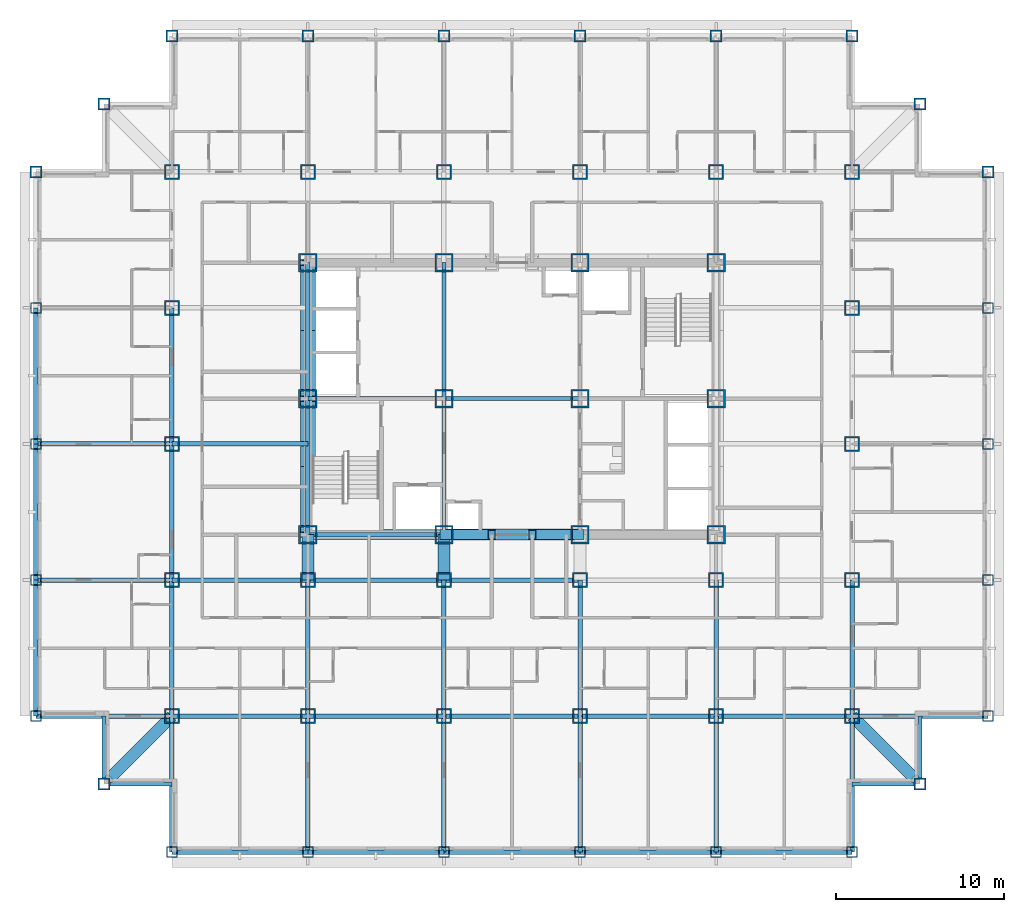
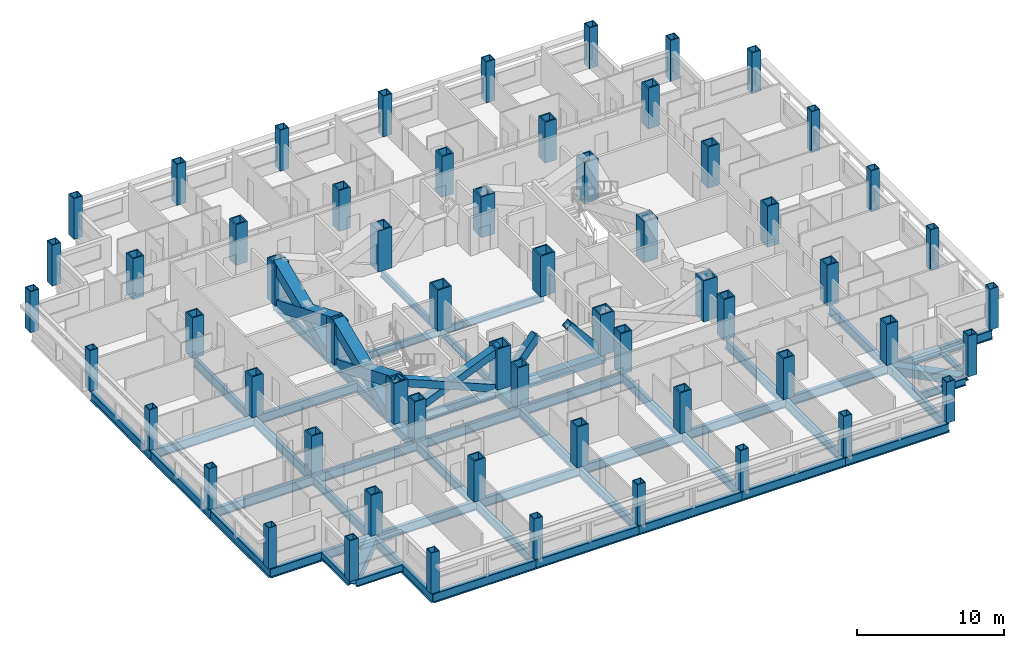
# One storey, part 1 of 15: 60 columns, 51 beams, 8 members.
"""IFC4 building model written with IfcOpenShell, lengths in metres."""

from ifc_helpers import new_model, si_unit, direction, frame, origin, origin_2d, place, context, subcontext, project, spatial, hollow_rectangle, i_section, extrude, material, material_profile, profile_set, type_object, element, save


model = new_model("IFC4")

# Units and contexts
model_context = context("Model", 3, precision=1e-05, world=origin(), true_north=direction((0.0, 1.0)))
body_context = subcontext(model_context, "Body", "Model", "MODEL_VIEW")
ifc_project = project(units=[si_unit("LENGTHUNIT", "METRE"), si_unit("AREAUNIT", "SQUARE_METRE"), si_unit("VOLUMEUNIT", "CUBIC_METRE"), si_unit("PLANEANGLEUNIT", "RADIAN"), si_unit("MASSUNIT", "GRAM", prefix="KILO")], contexts=[model_context])

# Site, building, storey
site_placement = place(None, origin())
site = spatial("IfcSite", under=ifc_project, at=site_placement, CompositionType="ELEMENT")
building_placement = place(site_placement, origin())
building = spatial("IfcBuilding", under=site, at=building_placement, Name="Kopane Lantern Tower", CompositionType="ELEMENT")
storey_placement = place(building_placement, frame((0.0, 0.0, 154.39990234375)))
storey = spatial("IfcBuildingStorey", under=building, at=storey_placement, Name="L40", CompositionType="ELEMENT", Elevation=154.39990234375)

# Columns
ifc_material_1 = material(Name="Steel S355JR", Category="steel")
ifc_material_profile_1 = material_profile(ifc_material_1, hollow_rectangle(XDim=1.10009765625, YDim=1.10009765625, WallThickness=0.10009765625, at=origin_2d()), Name="BOX 1100x1100x100")
ifc_profile_set_1 = profile_set([ifc_material_profile_1], Name="Steel S355JR")
column_type_1 = type_object("IfcColumnType", Name="COLUMN BOX 1100x1100x100", PredefinedType="COLUMN", material=ifc_profile_set_1)
for number, where, z_axis, x_axis, name in (
    (1, (16.199951171875, 24.300048828125, 0.0), (0.0, 0.0, 1.0), (1.0, 0.0, 0.0), "Column 4/E L40"),
    (2, (16.199951171875, 32.39990234375, 0.0), (0.0, 0.0, 1.0), (1.0, 0.0, 0.0), "Column 4/F L40"),
    (3, (16.199951171875, 40.5, 0.0), (0.0, 0.0, 1.0), (1.0, 0.0, 0.0), "Column 4/G L40"),
    (4, (24.300048828125, 24.300048828125, 0.0), (0.0, 0.0, 1.0), (1.0, 0.0, 0.0), "Column 5/E L40"),
    (5, (24.300048828125, 32.39990234375, 0.0), (0.0, 0.0, 1.0), (1.0, 0.0, 0.0), "Column 5/F L40"),
    (6, (24.300048828125, 40.5, 0.0), (0.0, 0.0, 1.0), (1.0, 0.0, 0.0), "Column 5/G L40"),
    (7, (32.39990234375, 24.300048828125, 0.0), (0.0, 0.0, 1.0), (1.0, 0.0, 0.0), "Column 6/E L40"),
    (8, (32.39990234375, 32.39990234375, 0.0), (0.0, 0.0, 1.0), (1.0, 0.0, 0.0), "Column 6/F L40"),
    (9, (32.39990234375, 40.5, 0.0), (0.0, 0.0, 1.0), (1.0, 0.0, 0.0), "Column 6/G L40"),
    (10, (40.5, 24.300048828125, 0.0), (0.0, 0.0, 1.0), (1.0, 0.0, 0.0), "Column 7/E L40"),
    (11, (40.5, 32.39990234375, 0.0), (0.0, 0.0, 1.0), (1.0, 0.0, 0.0), "Column 7/F L40"),
    (12, (40.5, 40.5, 0.0), (0.0, 0.0, 1.0), (1.0, 0.0, 0.0), "Column 7/G L40"),
):
    element("IfcColumn", number, at=place(storey_placement, frame(where, z_axis=z_axis, x_axis=x_axis)), inside=storey, type_object=column_type_1, Name=name, PredefinedType="COLUMN", context=body_context, shape_type="SweptSolid", body=[
        extrude(hollow_rectangle(XDim=1.10009765625, YDim=1.10009765625, WallThickness=0.10009765625, at=origin_2d()), origin(), (0.0, 0.0, 1.0), 3.400146484375),
    ])
ifc_material_2 = material(Name="Steel S355JR", Category="steel")
ifc_material_profile_2 = material_profile(ifc_material_2, hollow_rectangle(XDim=0.64990234375, YDim=0.64990234375, WallThickness=0.054931640625, at=origin_2d()), Name="BOX 650x650x55")
ifc_profile_set_2 = profile_set([ifc_material_profile_2], Name="Steel S355JR")
column_type_2 = type_object("IfcColumnType", Name="COLUMN BOX 650x650x55", PredefinedType="COLUMN", material=ifc_profile_set_2)
for number, where, z_axis, x_axis, name in (
    (13, (0.0, 13.5, 0.0), (0.0, 0.0, 1.0), (1.0, 0.0, 0.0), "Column 2/P2 L40"),
    (14, (0.0, 21.60009765625, 0.0), (0.0, 0.0, 1.0), (1.0, 0.0, 0.0), "Column 2/P3 L40"),
    (15, (0.0, 29.699951171875, 0.0), (0.0, 0.0, 1.0), (1.0, 0.0, 0.0), "Column 2/P4 L40"),
    (16, (0.0, 37.800048828125, 0.0), (0.0, 0.0, 1.0), (1.0, 0.0, 0.0), "Column 2/P5 L40"),
    (17, (8.10009765625, 5.39990234375, 0.0), (0.0, 0.0, 1.0), (1.0, 0.0, 0.0), "Column 3/P1 L40"),
    (18, (16.199951171875, 5.39990234375, 0.0), (0.0, 0.0, 1.0), (1.0, 0.0, 0.0), "Column 4/P1 L40"),
    (19, (24.300048828125, 5.39990234375, 0.0), (0.0, 0.0, 1.0), (1.0, 0.0, 0.0), "Column 5/P1 L40"),
    (20, (32.39990234375, 5.39990234375, 0.0), (0.0, 0.0, 1.0), (1.0, 0.0, 0.0), "Column 6/P1 L40"),
    (21, (40.5, 5.39990234375, 0.0), (0.0, 0.0, 1.0), (1.0, 0.0, 0.0), "Column 7/P1 L40"),
    (22, (48.60009765625, 5.39990234375, 0.0), (0.0, 0.0, 1.0), (1.0, 0.0, 0.0), "Column 8/P1 L40"),
    (23, (56.699951171875, 13.5, 0.0), (0.0, 0.0, 1.0), (1.0, 0.0, 0.0), "Column 9/P2 L40"),
    (24, (56.699951171875, 21.60009765625, 0.0), (0.0, 0.0, 1.0), (1.0, 0.0, 0.0), "Column 9/P3 L40"),
    (25, (56.699951171875, 29.699951171875, 0.0), (0.0, 0.0, 1.0), (1.0, 0.0, 0.0), "Column 9/P4 L40"),
    (26, (56.699951171875, 37.800048828125, 0.0), (0.0, 0.0, 1.0), (1.0, 0.0, 0.0), "Column 9/P5 L40"),
):
    element("IfcColumn", number, at=place(storey_placement, frame(where, z_axis=z_axis, x_axis=x_axis)), inside=storey, type_object=column_type_2, Name=name, PredefinedType="COLUMN", context=body_context, shape_type="SweptSolid", body=[
        extrude(hollow_rectangle(XDim=0.64990234375, YDim=0.64990234375, WallThickness=0.054931640625, at=origin_2d()), origin(), (0.0, 0.0, 1.0), 3.400146484375),
    ])
ifc_material_3 = material(Name="Steel S355JR", Category="steel")
ifc_material_profile_3 = material_profile(ifc_material_3, hollow_rectangle(XDim=0.699951171875, YDim=0.699951171875, WallThickness=0.070068359375, at=origin_2d()), Name="BOX 700x700x70")
ifc_profile_set_3 = profile_set([ifc_material_profile_3], Name="Steel S355JR")
column_type_3 = type_object("IfcColumnType", Name="COLUMN BOX 700x700x70", PredefinedType="COLUMN", material=ifc_profile_set_3)
for number, where, z_axis, x_axis, name in (
    (27, (0.0, 45.89990234375, 0.0), (0.0, 0.0, 1.0), (1.0, 0.0, 0.0), "Column 2/P6 L40"),
    (28, (4.050048828125, 9.449951171875, 0.0), (0.0, 0.0, 1.0), (1.0, 0.0, 0.0), "Column 4.05/9.45 L40"),
    (29, (4.050048828125, 49.949951171875, 0.0), (0.0, 0.0, 1.0), (1.0, 0.0, 0.0), "Column 4.05/49.95 L40"),
    (30, (8.10009765625, 54.0, 0.0), (0.0, 0.0, 1.0), (1.0, 0.0, 0.0), "Column 3/P7 L40"),
    (31, (16.199951171875, 54.0, 0.0), (0.0, 0.0, 1.0), (1.0, 0.0, 0.0), "Column 4/P7 L40"),
    (32, (24.300048828125, 54.0, 0.0), (0.0, 0.0, 1.0), (1.0, 0.0, 0.0), "Column 5/P7 L40"),
    (33, (32.39990234375, 54.0, 0.0), (0.0, 0.0, 1.0), (1.0, 0.0, 0.0), "Column 6/P7 L40"),
    (34, (40.5, 54.0, 0.0), (0.0, 0.0, 1.0), (1.0, 0.0, 0.0), "Column 7/P7 L40"),
    (35, (48.60009765625, 54.0, 0.0), (0.0, 0.0, 1.0), (1.0, 0.0, 0.0), "Column 8/P7 L40"),
    (36, (52.64990234375, 9.449951171875, 0.0), (0.0, 0.0, 1.0), (1.0, 0.0, 0.0), "Column 52.65/9.45 L40"),
    (37, (52.64990234375, 49.949951171875, 0.0), (0.0, 0.0, 1.0), (1.0, 0.0, 0.0), "Column 52.65/49.95 L40"),
    (38, (56.699951171875, 45.89990234375, 0.0), (0.0, 0.0, 1.0), (1.0, 0.0, 0.0), "Column 9/P6 L40"),
):
    element("IfcColumn", number, at=place(storey_placement, frame(where, z_axis=z_axis, x_axis=x_axis)), inside=storey, type_object=column_type_3, Name=name, PredefinedType="COLUMN", context=body_context, shape_type="SweptSolid", body=[
        extrude(hollow_rectangle(XDim=0.699951171875, YDim=0.699951171875, WallThickness=0.070068359375, at=origin_2d()), origin(), (0.0, 0.0, 1.0), 3.400146484375),
    ])
ifc_material_4 = material(Name="Steel S355JR", Category="steel")
ifc_material_profile_4 = material_profile(ifc_material_4, hollow_rectangle(XDim=0.89990234375, YDim=0.89990234375, WallThickness=0.10009765625, at=origin_2d()), Name="BOX 900x900x100")
ifc_profile_set_4 = profile_set([ifc_material_profile_4], Name="Steel S355JR")
column_type_4 = type_object("IfcColumnType", Name="COLUMN BOX 900x900x100", PredefinedType="COLUMN", material=ifc_profile_set_4)
for number, where, z_axis, x_axis, name in (
    (39, (8.10009765625, 13.5, 0.0), (0.0, 0.0, 1.0), (1.0, 0.0, 0.0), "Column 3/P2 L40"),
    (40, (8.10009765625, 21.60009765625, 0.0), (0.0, 0.0, 1.0), (1.0, 0.0, 0.0), "Column 3/P3 L40"),
    (41, (8.10009765625, 29.699951171875, 0.0), (0.0, 0.0, 1.0), (1.0, 0.0, 0.0), "Column 3/P4 L40"),
    (42, (8.10009765625, 37.800048828125, 0.0), (0.0, 0.0, 1.0), (1.0, 0.0, 0.0), "Column 3/P5 L40"),
    (43, (8.10009765625, 45.89990234375, 0.0), (0.0, 0.0, 1.0), (1.0, 0.0, 0.0), "Column 3/P6 L40"),
    (44, (16.199951171875, 13.5, 0.0), (0.0, 0.0, 1.0), (1.0, 0.0, 0.0), "Column 4/P2 L40"),
    (45, (16.199951171875, 21.60009765625, 0.0), (0.0, 0.0, 1.0), (1.0, 0.0, 0.0), "Column 4/P3 L40"),
    (46, (16.199951171875, 45.89990234375, 0.0), (0.0, 0.0, 1.0), (1.0, 0.0, 0.0), "Column 4/P6 L40"),
    (47, (24.300048828125, 13.5, 0.0), (0.0, 0.0, 1.0), (1.0, 0.0, 0.0), "Column 5/P2 L40"),
    (48, (24.300048828125, 21.60009765625, 0.0), (0.0, 0.0, 1.0), (1.0, 0.0, 0.0), "Column 5/P3 L40"),
    (49, (24.300048828125, 45.89990234375, 0.0), (0.0, 0.0, 1.0), (1.0, 0.0, 0.0), "Column 5/P6 L40"),
    (50, (32.39990234375, 13.5, 0.0), (0.0, 0.0, 1.0), (1.0, 0.0, 0.0), "Column 6/P2 L40"),
    (51, (32.39990234375, 21.60009765625, 0.0), (0.0, 0.0, 1.0), (1.0, 0.0, 0.0), "Column 6/P3 L40"),
    (52, (32.39990234375, 45.89990234375, 0.0), (0.0, 0.0, 1.0), (1.0, 0.0, 0.0), "Column 6/P6 L40"),
    (53, (40.5, 13.5, 0.0), (0.0, 0.0, 1.0), (1.0, 0.0, 0.0), "Column 7/P2 L40"),
    (54, (40.5, 21.60009765625, 0.0), (0.0, 0.0, 1.0), (1.0, 0.0, 0.0), "Column 7/P3 L40"),
    (55, (40.5, 45.89990234375, 0.0), (0.0, 0.0, 1.0), (1.0, 0.0, 0.0), "Column 7/P6 L40"),
    (56, (48.60009765625, 13.5, 0.0), (0.0, 0.0, 1.0), (1.0, 0.0, 0.0), "Column 8/P2 L40"),
    (57, (48.60009765625, 21.60009765625, 0.0), (0.0, 0.0, 1.0), (1.0, 0.0, 0.0), "Column 8/P3 L40"),
    (58, (48.60009765625, 29.699951171875, 0.0), (0.0, 0.0, 1.0), (1.0, 0.0, 0.0), "Column 8/P4 L40"),
    (59, (48.60009765625, 37.800048828125, 0.0), (0.0, 0.0, 1.0), (1.0, 0.0, 0.0), "Column 8/P5 L40"),
    (60, (48.60009765625, 45.89990234375, 0.0), (0.0, 0.0, 1.0), (1.0, 0.0, 0.0), "Column 8/P6 L40"),
):
    element("IfcColumn", number, at=place(storey_placement, frame(where, z_axis=z_axis, x_axis=x_axis)), inside=storey, type_object=column_type_4, Name=name, PredefinedType="COLUMN", context=body_context, shape_type="SweptSolid", body=[
        extrude(hollow_rectangle(XDim=0.89990234375, YDim=0.89990234375, WallThickness=0.10009765625, at=origin_2d()), origin(), (0.0, 0.0, 1.0), 3.400146484375),
    ])

# Members
ifc_material_5 = material(Name="Steel S355JR", Category="steel")
ifc_material_profile_5 = material_profile(ifc_material_5, hollow_rectangle(XDim=0.60009765625, YDim=0.60009765625, WallThickness=0.050048828125, at=origin_2d()), Name="BOX 600x600x50")
ifc_profile_set_5 = profile_set([ifc_material_profile_5], Name="Steel S355JR")
member_type_1 = type_object("IfcMemberType", Name="BRACE BOX 600x600x50", PredefinedType="BRACE", material=ifc_profile_set_5)
for number, where, z_axis, x_axis, name in (
    (61, (16.199951171875, 24.300048828125, -0.2099609375), (0.923680358627, 0.0, 0.383163927174), (0.0, 1.0, 0.0), "Core brace L40"),
    (62, (24.300048828125, 24.300048828125, -0.2099609375), (-0.923680358627, 0.0, 0.383163927174), (0.0, -1.0, 0.0), "Core brace L40"),
):
    element("IfcMember", number, at=place(storey_placement, frame(where, z_axis=z_axis, x_axis=x_axis)), inside=storey, type_object=member_type_1, Name=name, PredefinedType="BRACE", context=body_context, shape_type="SweptSolid", body=[
        extrude(hollow_rectangle(XDim=0.60009765625, YDim=0.60009765625, WallThickness=0.050048828125, at=origin_2d()), origin(), (0.0, 0.0, 1.0), 8.769287109375),
    ])
for number, where, z_axis, x_axis, name in (
    (63, (24.300048828125, 24.300048828125, -0.2099609375), (0.646826109676, 0.0, 0.762637517987), (0.0, 1.0, 0.0), "Core brace L40"),
    (64, (32.39990234375, 24.300048828125, -0.2099609375), (-0.646826109676, 0.0, 0.762637517987), (0.0, -1.0, 0.0), "Core brace L40"),
):
    element("IfcMember", number, at=place(storey_placement, frame(where, z_axis=z_axis, x_axis=x_axis)), inside=storey, type_object=member_type_1, Name=name, PredefinedType="BRACE", context=body_context, shape_type="SweptSolid", body=[
        extrude(hollow_rectangle(XDim=0.60009765625, YDim=0.60009765625, WallThickness=0.050048828125, at=origin_2d()), origin(), (0.0, 0.0, 1.0), 4.406005859375),
    ])
ifc_material_6 = material(Name="Steel S355JR", Category="steel")
ifc_material_profile_6 = material_profile(ifc_material_6, hollow_rectangle(XDim=0.89990234375, YDim=0.89990234375, WallThickness=0.090087890625, at=origin_2d()), Name="BOX 900x900x90")
ifc_profile_set_6 = profile_set([ifc_material_profile_6], Name="Steel S355JR")
member_type_2 = type_object("IfcMemberType", Name="BRACE BOX 900x900x90", PredefinedType="BRACE", material=ifc_profile_set_6)
for number, where, z_axis, x_axis, name in (
    (65, (16.199951171875, 24.300048828125, -0.2099609375), (0.0, 0.923676271129, 0.383173780618), (-1.0, 0.0, 0.0), "Core brace L40"),
    (66, (16.199951171875, 32.39990234375, -0.2099609375), (0.0, -0.923676271129, 0.383173780618), (1.0, 0.0, 0.0), "Core brace L40"),
):
    element("IfcMember", number, at=place(storey_placement, frame(where, z_axis=z_axis, x_axis=x_axis)), inside=storey, type_object=member_type_2, Name=name, PredefinedType="BRACE", context=body_context, shape_type="SweptSolid", body=[
        extrude(hollow_rectangle(XDim=0.89990234375, YDim=0.89990234375, WallThickness=0.090087890625, at=origin_2d()), origin(), (0.0, 0.0, 1.0), 8.76904296875),
    ])
for number, where, z_axis, x_axis, name in (
    (67, (16.199951171875, 32.39990234375, -0.2099609375), (0.0, 0.923680358627, 0.383163927174), (-1.0, 0.0, 0.0), "Core brace L40"),
    (68, (16.199951171875, 40.5, -0.2099609375), (0.0, -0.923680358627, 0.383163927174), (1.0, 0.0, 0.0), "Core brace L40"),
):
    element("IfcMember", number, at=place(storey_placement, frame(where, z_axis=z_axis, x_axis=x_axis)), inside=storey, type_object=member_type_2, Name=name, PredefinedType="BRACE", context=body_context, shape_type="SweptSolid", body=[
        extrude(hollow_rectangle(XDim=0.89990234375, YDim=0.89990234375, WallThickness=0.090087890625, at=origin_2d()), origin(), (0.0, 0.0, 1.0), 8.769287109375),
    ])

# Beams
ifc_material_7 = material(Name="Steel S355JR", Category="steel")
ifc_material_profile_7 = material_profile(ifc_material_7, i_section(OverallWidth=0.22900390625, OverallDepth=0.6123046875, WebThickness=0.011962890625, FlangeThickness=0.01953125, FilletRadius=0.0126953125, at=origin_2d()), Name="UB 610x229x125")
ifc_profile_set_7 = profile_set([ifc_material_profile_7], Name="Steel S355JR")
beam_type_1 = type_object("IfcBeamType", Name="CORE BEAM UB 610x229x125", PredefinedType="BEAM", material=ifc_profile_set_7)
beam_1_placement = place(storey_placement, frame((16.199951171875, 32.39990234375, -0.51611328125), z_axis=(1.0, 0.0, 0.0), x_axis=(0.0, 1.0, 0.0)))
element("IfcBeam", 69, at=beam_1_placement, inside=storey, type_object=beam_type_1, Name="Core Beam L40", PredefinedType="BEAM", context=body_context, shape_type="SweptSolid", body=[
    extrude(i_section(OverallWidth=0.22900390625, OverallDepth=0.6123046875, WebThickness=0.011962890625, FlangeThickness=0.01953125, FilletRadius=0.0126953125, at=origin_2d()), origin(), (0.0, 0.0, 1.0), 8.10009765625),
])
beam_2_placement = place(storey_placement, frame((24.300048828125, 24.300048828125, -0.51611328125), z_axis=(0.0, 1.0, 0.0), x_axis=(-1.0, 0.0, 0.0)))
element("IfcBeam", 70, at=beam_2_placement, inside=storey, type_object=beam_type_1, Name="Core Beam L40", PredefinedType="BEAM", context=body_context, shape_type="SweptSolid", body=[
    extrude(i_section(OverallWidth=0.22900390625, OverallDepth=0.6123046875, WebThickness=0.011962890625, FlangeThickness=0.01953125, FilletRadius=0.0126953125, at=origin_2d()), origin(), (0.0, 0.0, 1.0), 8.099853515625),
])
beam_3_placement = place(storey_placement, frame((24.300048828125, 32.39990234375, -0.51611328125), z_axis=(0.0, 1.0, 0.0), x_axis=(-1.0, 0.0, 0.0)))
element("IfcBeam", 71, at=beam_3_placement, inside=storey, type_object=beam_type_1, Name="Core Beam L40", PredefinedType="BEAM", context=body_context, shape_type="SweptSolid", body=[
    extrude(i_section(OverallWidth=0.22900390625, OverallDepth=0.6123046875, WebThickness=0.011962890625, FlangeThickness=0.01953125, FilletRadius=0.0126953125, at=origin_2d()), origin(), (0.0, 0.0, 1.0), 8.10009765625),
])
beam_4_placement = place(storey_placement, frame((24.300048828125, 32.39990234375, -0.51611328125), z_axis=(1.0, 0.0, 0.0), x_axis=(0.0, 1.0, 0.0)))
element("IfcBeam", 72, at=beam_4_placement, inside=storey, type_object=beam_type_1, Name="Core Beam L40", PredefinedType="BEAM", context=body_context, shape_type="SweptSolid", body=[
    extrude(i_section(OverallWidth=0.22900390625, OverallDepth=0.6123046875, WebThickness=0.011962890625, FlangeThickness=0.01953125, FilletRadius=0.0126953125, at=origin_2d()), origin(), (0.0, 0.0, 1.0), 8.099853515625),
])
ifc_material_8 = material(Name="Steel S355JR", Category="steel")
ifc_material_profile_8 = material_profile(ifc_material_8, hollow_rectangle(XDim=0.699951171875, YDim=0.699951171875, WallThickness=0.06005859375, at=origin_2d()), Name="BOX 700x700x60")
ifc_profile_set_8 = profile_set([ifc_material_profile_8], Name="Steel S355JR")
beam_type_2 = type_object("IfcBeamType", Name="CORNER TIE BEAM BOX 700x700x60", PredefinedType="BEAM", material=ifc_profile_set_8)
beam_5_placement = place(storey_placement, frame((4.447509765625, 9.847412109375, -0.559814453125), z_axis=(0.707106781187, 0.707106781187, 0.0), x_axis=(-0.707106781187, 0.707106781187, 0.0)))
element("IfcBeam", 73, at=beam_5_placement, inside=storey, type_object=beam_type_2, Name="Corner Tie Beam L40", PredefinedType="BEAM", context=body_context, shape_type="SweptSolid", body=[
    extrude(hollow_rectangle(XDim=0.699951171875, YDim=0.699951171875, WallThickness=0.06005859375, at=origin_2d()), origin(), (0.0, 0.0, 1.0), 5.16552734375),
])
beam_6_placement = place(storey_placement, frame((52.25244140625, 9.847412109375, -0.559814453125), z_axis=(-0.707083148333, 0.70713041325, 0.0), x_axis=(-0.70713041325, -0.707083148333, 0.0)))
element("IfcBeam", 74, at=beam_6_placement, inside=storey, type_object=beam_type_2, Name="Corner Tie Beam L40", PredefinedType="BEAM", context=body_context, shape_type="SweptSolid", body=[
    extrude(hollow_rectangle(XDim=0.699951171875, YDim=0.699951171875, WallThickness=0.06005859375, at=origin_2d()), origin(), (0.0, 0.0, 1.0), 5.165283203125),
])
ifc_material_9 = material(Name="Steel S355JR", Category="steel")
ifc_material_profile_9 = material_profile(ifc_material_9, i_section(OverallWidth=0.22900390625, OverallDepth=0.6123046875, WebThickness=0.011962890625, FlangeThickness=0.01953125, FilletRadius=0.0126953125, at=origin_2d()), Name="UB 610x229x125")
ifc_profile_set_9 = profile_set([ifc_material_profile_9], Name="Steel S355JR")
beam_type_3 = type_object("IfcBeamType", Name="EDGE BEAM UB 610x229x125", PredefinedType="BEAM", material=ifc_profile_set_9)
beam_7_placement = place(storey_placement, frame((4.050048828125, 9.800048828125, -0.51611328125), z_axis=(0.0, 1.0, 0.0), x_axis=(-1.0, 0.0, 0.0)))
element("IfcBeam", 75, at=beam_7_placement, inside=storey, type_object=beam_type_3, Name="Edge Beam L40", PredefinedType="BEAM", context=body_context, shape_type="SweptSolid", body=[
    extrude(i_section(OverallWidth=0.22900390625, OverallDepth=0.6123046875, WebThickness=0.011962890625, FlangeThickness=0.01953125, FilletRadius=0.0126953125, at=origin_2d()), origin(), (0.0, 0.0, 1.0), 3.699951171875),
])
beam_8_placement = place(storey_placement, frame((4.39990234375, 9.449951171875, -0.51611328125), z_axis=(1.0, 0.0, 0.0), x_axis=(0.0, 1.0, 0.0)))
element("IfcBeam", 76, at=beam_8_placement, inside=storey, type_object=beam_type_3, Name="Edge Beam L40", PredefinedType="BEAM", context=body_context, shape_type="SweptSolid", body=[
    extrude(i_section(OverallWidth=0.22900390625, OverallDepth=0.6123046875, WebThickness=0.011962890625, FlangeThickness=0.01953125, FilletRadius=0.0126953125, at=origin_2d()), origin(), (0.0, 0.0, 1.0), 3.7001953125),
])
for number, where, z_axis, x_axis, name in (
    (77, (52.300048828125, 9.449951171875, -0.51611328125), (-1.0, 0.0, 0.0), (0.0, -1.0, 0.0), "Edge Beam L40"),
    (78, (52.64990234375, 9.800048828125, -0.51611328125), (0.0, 1.0, 0.0), (-1.0, 0.0, 0.0), "Edge Beam L40"),
):
    element("IfcBeam", number, at=place(storey_placement, frame(where, z_axis=z_axis, x_axis=x_axis)), inside=storey, type_object=beam_type_3, Name=name, PredefinedType="BEAM", context=body_context, shape_type="SweptSolid", body=[
        extrude(i_section(OverallWidth=0.22900390625, OverallDepth=0.6123046875, WebThickness=0.011962890625, FlangeThickness=0.01953125, FilletRadius=0.0126953125, at=origin_2d()), origin(), (0.0, 0.0, 1.0), 3.699951171875),
    ])
ifc_material_10 = material(Name="Steel S355JR", Category="steel")
ifc_material_profile_10 = material_profile(ifc_material_10, hollow_rectangle(XDim=0.699951171875, YDim=0.699951171875, WallThickness=0.06005859375, at=origin_2d()), Name="BOX 700x700x60")
ifc_profile_set_10 = profile_set([ifc_material_profile_10], Name="Steel S355JR")
beam_type_4 = type_object("IfcBeamType", Name="GIRDER BOX 700x700x60", PredefinedType="BEAM", material=ifc_profile_set_10)
for number, where, z_axis, x_axis, name in (
    (79, (16.199951171875, 21.60009765625, -0.559814453125), (0.0, 1.0, 0.0), (-1.0, 0.0, 0.0), "Girder L40"),
    (80, (24.300048828125, 21.60009765625, -0.559814453125), (0.0, 1.0, 0.0), (-1.0, 0.0, 0.0), "Girder L40"),
):
    element("IfcBeam", number, at=place(storey_placement, frame(where, z_axis=z_axis, x_axis=x_axis)), inside=storey, type_object=beam_type_4, Name=name, PredefinedType="BEAM", context=body_context, shape_type="SweptSolid", body=[
        extrude(hollow_rectangle(XDim=0.699951171875, YDim=0.699951171875, WallThickness=0.06005859375, at=origin_2d()), origin(), (0.0, 0.0, 1.0), 2.699951171875),
    ])
ifc_material_11 = material(Name="Steel S355JR", Category="steel")
ifc_material_profile_11 = material_profile(ifc_material_11, i_section(OverallWidth=0.26806640625, OverallDepth=0.769775390625, WebThickness=0.015625, FlangeThickness=0.025390625, FilletRadius=0.0166015625, at=origin_2d()), Name="UB 762x267x197")
ifc_profile_set_11 = profile_set([ifc_material_profile_11], Name="Steel S355JR")
beam_type_5 = type_object("IfcBeamType", Name="GIRDER UB 762x267x197", PredefinedType="BEAM", material=ifc_profile_set_11)
for number, where, z_axis, x_axis, name in (
    (81, (0.0, 13.5, -0.5947265625), (0.0, 1.0, 0.0), (-1.0, 0.0, 0.0), "Girder L40"),
    (82, (0.0, 13.5, -0.5947265625), (1.0, 0.0, 0.0), (0.0, 1.0, 0.0), "Girder L40"),
):
    element("IfcBeam", number, at=place(storey_placement, frame(where, z_axis=z_axis, x_axis=x_axis)), inside=storey, type_object=beam_type_5, Name=name, PredefinedType="BEAM", context=body_context, shape_type="SweptSolid", body=[
        extrude(i_section(OverallWidth=0.26806640625, OverallDepth=0.769775390625, WebThickness=0.015625, FlangeThickness=0.025390625, FilletRadius=0.0166015625, at=origin_2d()), origin(), (0.0, 0.0, 1.0), 8.10009765625),
    ])
beam_9_placement = place(storey_placement, frame((0.0, 21.60009765625, -0.5947265625), z_axis=(0.0, 1.0, 0.0), x_axis=(-1.0, 0.0, 0.0)))
element("IfcBeam", 83, at=beam_9_placement, inside=storey, type_object=beam_type_5, Name="Girder L40", PredefinedType="BEAM", context=body_context, shape_type="SweptSolid", body=[
    extrude(i_section(OverallWidth=0.26806640625, OverallDepth=0.769775390625, WebThickness=0.015625, FlangeThickness=0.025390625, FilletRadius=0.0166015625, at=origin_2d()), origin(), (0.0, 0.0, 1.0), 8.099853515625),
])
for number, where, z_axis, x_axis, name in (
    (84, (0.0, 21.60009765625, -0.5947265625), (1.0, 0.0, 0.0), (0.0, 1.0, 0.0), "Girder L40"),
    (85, (0.0, 29.699951171875, -0.5947265625), (0.0, 1.0, 0.0), (-1.0, 0.0, 0.0), "Girder L40"),
    (86, (0.0, 29.699951171875, -0.5947265625), (1.0, 0.0, 0.0), (0.0, 1.0, 0.0), "Girder L40"),
    (87, (8.10009765625, 5.39990234375, -0.5947265625), (0.0, 1.0, 0.0), (-1.0, 0.0, 0.0), "Girder L40"),
):
    element("IfcBeam", number, at=place(storey_placement, frame(where, z_axis=z_axis, x_axis=x_axis)), inside=storey, type_object=beam_type_5, Name=name, PredefinedType="BEAM", context=body_context, shape_type="SweptSolid", body=[
        extrude(i_section(OverallWidth=0.26806640625, OverallDepth=0.769775390625, WebThickness=0.015625, FlangeThickness=0.025390625, FilletRadius=0.0166015625, at=origin_2d()), origin(), (0.0, 0.0, 1.0), 8.10009765625),
    ])
beam_10_placement = place(storey_placement, frame((8.10009765625, 5.39990234375, -0.5947265625), z_axis=(1.0, 0.0, 0.0), x_axis=(0.0, 1.0, 0.0)))
element("IfcBeam", 88, at=beam_10_placement, inside=storey, type_object=beam_type_5, Name="Girder L40", PredefinedType="BEAM", context=body_context, shape_type="SweptSolid", body=[
    extrude(i_section(OverallWidth=0.26806640625, OverallDepth=0.769775390625, WebThickness=0.015625, FlangeThickness=0.025390625, FilletRadius=0.0166015625, at=origin_2d()), origin(), (0.0, 0.0, 1.0), 8.099853515625),
])
beam_11_placement = place(storey_placement, frame((8.10009765625, 13.5, -0.5947265625), z_axis=(0.0, 1.0, 0.0), x_axis=(-1.0, 0.0, 0.0)))
element("IfcBeam", 89, at=beam_11_placement, inside=storey, type_object=beam_type_5, Name="Girder L40", PredefinedType="BEAM", context=body_context, shape_type="SweptSolid", body=[
    extrude(i_section(OverallWidth=0.26806640625, OverallDepth=0.769775390625, WebThickness=0.015625, FlangeThickness=0.025390625, FilletRadius=0.0166015625, at=origin_2d()), origin(), (0.0, 0.0, 1.0), 8.10009765625),
])
for number, where, z_axis, x_axis, name in (
    (90, (8.10009765625, 13.5, -0.5947265625), (1.0, 0.0, 0.0), (0.0, 1.0, 0.0), "Girder L40"),
    (91, (8.10009765625, 21.60009765625, -0.5947265625), (0.0, 1.0, 0.0), (-1.0, 0.0, 0.0), "Girder L40"),
    (92, (8.10009765625, 21.60009765625, -0.5947265625), (1.0, 0.0, 0.0), (0.0, 1.0, 0.0), "Girder L40"),
):
    element("IfcBeam", number, at=place(storey_placement, frame(where, z_axis=z_axis, x_axis=x_axis)), inside=storey, type_object=beam_type_5, Name=name, PredefinedType="BEAM", context=body_context, shape_type="SweptSolid", body=[
        extrude(i_section(OverallWidth=0.26806640625, OverallDepth=0.769775390625, WebThickness=0.015625, FlangeThickness=0.025390625, FilletRadius=0.0166015625, at=origin_2d()), origin(), (0.0, 0.0, 1.0), 8.099853515625),
    ])
beam_12_placement = place(storey_placement, frame((8.10009765625, 29.699951171875, -0.5947265625), z_axis=(0.0, 1.0, 0.0), x_axis=(-1.0, 0.0, 0.0)))
element("IfcBeam", 93, at=beam_12_placement, inside=storey, type_object=beam_type_5, Name="Girder L40", PredefinedType="BEAM", context=body_context, shape_type="SweptSolid", body=[
    extrude(i_section(OverallWidth=0.26806640625, OverallDepth=0.769775390625, WebThickness=0.015625, FlangeThickness=0.025390625, FilletRadius=0.0166015625, at=origin_2d()), origin(), (0.0, 0.0, 1.0), 8.10009765625),
])
beam_13_placement = place(storey_placement, frame((8.10009765625, 29.699951171875, -0.5947265625), z_axis=(1.0, 0.0, 0.0), x_axis=(0.0, 1.0, 0.0)))
element("IfcBeam", 94, at=beam_13_placement, inside=storey, type_object=beam_type_5, Name="Girder L40", PredefinedType="BEAM", context=body_context, shape_type="SweptSolid", body=[
    extrude(i_section(OverallWidth=0.26806640625, OverallDepth=0.769775390625, WebThickness=0.015625, FlangeThickness=0.025390625, FilletRadius=0.0166015625, at=origin_2d()), origin(), (0.0, 0.0, 1.0), 8.099853515625),
])
for number, where, z_axis, x_axis, name in (
    (95, (16.199951171875, 5.39990234375, -0.5947265625), (0.0, 1.0, 0.0), (-1.0, 0.0, 0.0), "Girder L40"),
    (96, (16.199951171875, 5.39990234375, -0.5947265625), (1.0, 0.0, 0.0), (0.0, 1.0, 0.0), "Girder L40"),
    (97, (16.199951171875, 13.5, -0.5947265625), (0.0, 1.0, 0.0), (-1.0, 0.0, 0.0), "Girder L40"),
    (98, (16.199951171875, 13.5, -0.5947265625), (1.0, 0.0, 0.0), (0.0, 1.0, 0.0), "Girder L40"),
    (99, (16.199951171875, 21.60009765625, -0.5947265625), (1.0, 0.0, 0.0), (0.0, 1.0, 0.0), "Girder L40"),
):
    element("IfcBeam", number, at=place(storey_placement, frame(where, z_axis=z_axis, x_axis=x_axis)), inside=storey, type_object=beam_type_5, Name=name, PredefinedType="BEAM", context=body_context, shape_type="SweptSolid", body=[
        extrude(i_section(OverallWidth=0.26806640625, OverallDepth=0.769775390625, WebThickness=0.015625, FlangeThickness=0.025390625, FilletRadius=0.0166015625, at=origin_2d()), origin(), (0.0, 0.0, 1.0), 8.10009765625),
    ])
beam_14_placement = place(storey_placement, frame((16.199951171875, 24.300048828125, -0.5947265625), z_axis=(0.0, 1.0, 0.0), x_axis=(-1.0, 0.0, 0.0)))
element("IfcBeam", 100, at=beam_14_placement, inside=storey, type_object=beam_type_5, Name="Girder L40", PredefinedType="BEAM", context=body_context, shape_type="SweptSolid", body=[
    extrude(i_section(OverallWidth=0.26806640625, OverallDepth=0.769775390625, WebThickness=0.015625, FlangeThickness=0.025390625, FilletRadius=0.0166015625, at=origin_2d()), origin(), (0.0, 0.0, 1.0), 8.099853515625),
])
for number, where, z_axis, x_axis, name in (
    (101, (16.199951171875, 24.300048828125, -0.5947265625), (1.0, 0.0, 0.0), (0.0, 1.0, 0.0), "Girder L40"),
    (102, (16.199951171875, 32.39990234375, -0.5947265625), (0.0, 1.0, 0.0), (-1.0, 0.0, 0.0), "Girder L40"),
    (103, (24.300048828125, 5.39990234375, -0.5947265625), (0.0, 1.0, 0.0), (-1.0, 0.0, 0.0), "Girder L40"),
):
    element("IfcBeam", number, at=place(storey_placement, frame(where, z_axis=z_axis, x_axis=x_axis)), inside=storey, type_object=beam_type_5, Name=name, PredefinedType="BEAM", context=body_context, shape_type="SweptSolid", body=[
        extrude(i_section(OverallWidth=0.26806640625, OverallDepth=0.769775390625, WebThickness=0.015625, FlangeThickness=0.025390625, FilletRadius=0.0166015625, at=origin_2d()), origin(), (0.0, 0.0, 1.0), 8.10009765625),
    ])
beam_15_placement = place(storey_placement, frame((24.300048828125, 5.39990234375, -0.5947265625), z_axis=(1.0, 0.0, 0.0), x_axis=(0.0, 1.0, 0.0)))
element("IfcBeam", 104, at=beam_15_placement, inside=storey, type_object=beam_type_5, Name="Girder L40", PredefinedType="BEAM", context=body_context, shape_type="SweptSolid", body=[
    extrude(i_section(OverallWidth=0.26806640625, OverallDepth=0.769775390625, WebThickness=0.015625, FlangeThickness=0.025390625, FilletRadius=0.0166015625, at=origin_2d()), origin(), (0.0, 0.0, 1.0), 8.099853515625),
])
beam_16_placement = place(storey_placement, frame((24.300048828125, 13.5, -0.5947265625), z_axis=(0.0, 1.0, 0.0), x_axis=(-1.0, 0.0, 0.0)))
element("IfcBeam", 105, at=beam_16_placement, inside=storey, type_object=beam_type_5, Name="Girder L40", PredefinedType="BEAM", context=body_context, shape_type="SweptSolid", body=[
    extrude(i_section(OverallWidth=0.26806640625, OverallDepth=0.769775390625, WebThickness=0.015625, FlangeThickness=0.025390625, FilletRadius=0.0166015625, at=origin_2d()), origin(), (0.0, 0.0, 1.0), 8.10009765625),
])
for number, where, z_axis, x_axis, name in (
    (106, (24.300048828125, 13.5, -0.5947265625), (1.0, 0.0, 0.0), (0.0, 1.0, 0.0), "Girder L40"),
    (107, (24.300048828125, 21.60009765625, -0.5947265625), (1.0, 0.0, 0.0), (0.0, 1.0, 0.0), "Girder L40"),
):
    element("IfcBeam", number, at=place(storey_placement, frame(where, z_axis=z_axis, x_axis=x_axis)), inside=storey, type_object=beam_type_5, Name=name, PredefinedType="BEAM", context=body_context, shape_type="SweptSolid", body=[
        extrude(i_section(OverallWidth=0.26806640625, OverallDepth=0.769775390625, WebThickness=0.015625, FlangeThickness=0.025390625, FilletRadius=0.0166015625, at=origin_2d()), origin(), (0.0, 0.0, 1.0), 8.099853515625),
    ])
for number, where, z_axis, x_axis, name in (
    (108, (32.39990234375, 5.39990234375, -0.5947265625), (0.0, 1.0, 0.0), (-1.0, 0.0, 0.0), "Girder L40"),
    (109, (32.39990234375, 5.39990234375, -0.5947265625), (1.0, 0.0, 0.0), (0.0, 1.0, 0.0), "Girder L40"),
    (110, (32.39990234375, 13.5, -0.5947265625), (0.0, 1.0, 0.0), (-1.0, 0.0, 0.0), "Girder L40"),
    (111, (32.39990234375, 13.5, -0.5947265625), (1.0, 0.0, 0.0), (0.0, 1.0, 0.0), "Girder L40"),
    (112, (40.5, 5.39990234375, -0.5947265625), (0.0, 1.0, 0.0), (-1.0, 0.0, 0.0), "Girder L40"),
    (113, (40.5, 5.39990234375, -0.5947265625), (1.0, 0.0, 0.0), (0.0, 1.0, 0.0), "Girder L40"),
    (114, (40.5, 13.5, -0.5947265625), (0.0, 1.0, 0.0), (-1.0, 0.0, 0.0), "Girder L40"),
    (115, (40.5, 13.5, -0.5947265625), (1.0, 0.0, 0.0), (0.0, 1.0, 0.0), "Girder L40"),
    (116, (48.60009765625, 5.39990234375, -0.5947265625), (0.0, 1.0, 0.0), (-1.0, 0.0, 0.0), "Girder L40"),
    (117, (48.60009765625, 13.5, -0.5947265625), (0.0, 1.0, 0.0), (-1.0, 0.0, 0.0), "Girder L40"),
):
    element("IfcBeam", number, at=place(storey_placement, frame(where, z_axis=z_axis, x_axis=x_axis)), inside=storey, type_object=beam_type_5, Name=name, PredefinedType="BEAM", context=body_context, shape_type="SweptSolid", body=[
        extrude(i_section(OverallWidth=0.26806640625, OverallDepth=0.769775390625, WebThickness=0.015625, FlangeThickness=0.025390625, FilletRadius=0.0166015625, at=origin_2d()), origin(), (0.0, 0.0, 1.0), 8.10009765625),
    ])
beam_17_placement = place(storey_placement, frame((48.60009765625, 13.5, -0.5947265625), z_axis=(1.0, 0.0, 0.0), x_axis=(0.0, 1.0, 0.0)))
element("IfcBeam", 118, at=beam_17_placement, inside=storey, type_object=beam_type_5, Name="Girder L40", PredefinedType="BEAM", context=body_context, shape_type="SweptSolid", body=[
    extrude(i_section(OverallWidth=0.26806640625, OverallDepth=0.769775390625, WebThickness=0.015625, FlangeThickness=0.025390625, FilletRadius=0.0166015625, at=origin_2d()), origin(), (0.0, 0.0, 1.0), 8.099853515625),
])
ifc_material_12 = material(Name="Steel S355JR", Category="steel")
ifc_material_profile_12 = material_profile(ifc_material_12, hollow_rectangle(XDim=0.64990234375, YDim=0.64990234375, WallThickness=0.070068359375, at=origin_2d()), Name="BOX 650x650x70")
ifc_profile_set_12 = profile_set([ifc_material_profile_12], Name="Steel S355JR")
beam_type_6 = type_object("IfcBeamType", Name="LINK BEAM BOX 650x650x70", PredefinedType="BEAM", material=ifc_profile_set_12)
beam_18_placement = place(storey_placement, frame((24.300048828125, 24.300048828125, -0.534912109375), z_axis=(1.0, 0.0, 0.0), x_axis=(0.0, 1.0, 0.0)))
element("IfcBeam", 119, at=beam_18_placement, inside=storey, type_object=beam_type_6, Name="Link Beam L40", PredefinedType="BEAM", context=body_context, shape_type="SweptSolid", body=[
    extrude(hollow_rectangle(XDim=0.64990234375, YDim=0.64990234375, WallThickness=0.070068359375, at=origin_2d()), origin(), (0.0, 0.0, 1.0), 8.099853515625),
])

save(model, "model.ifc")
